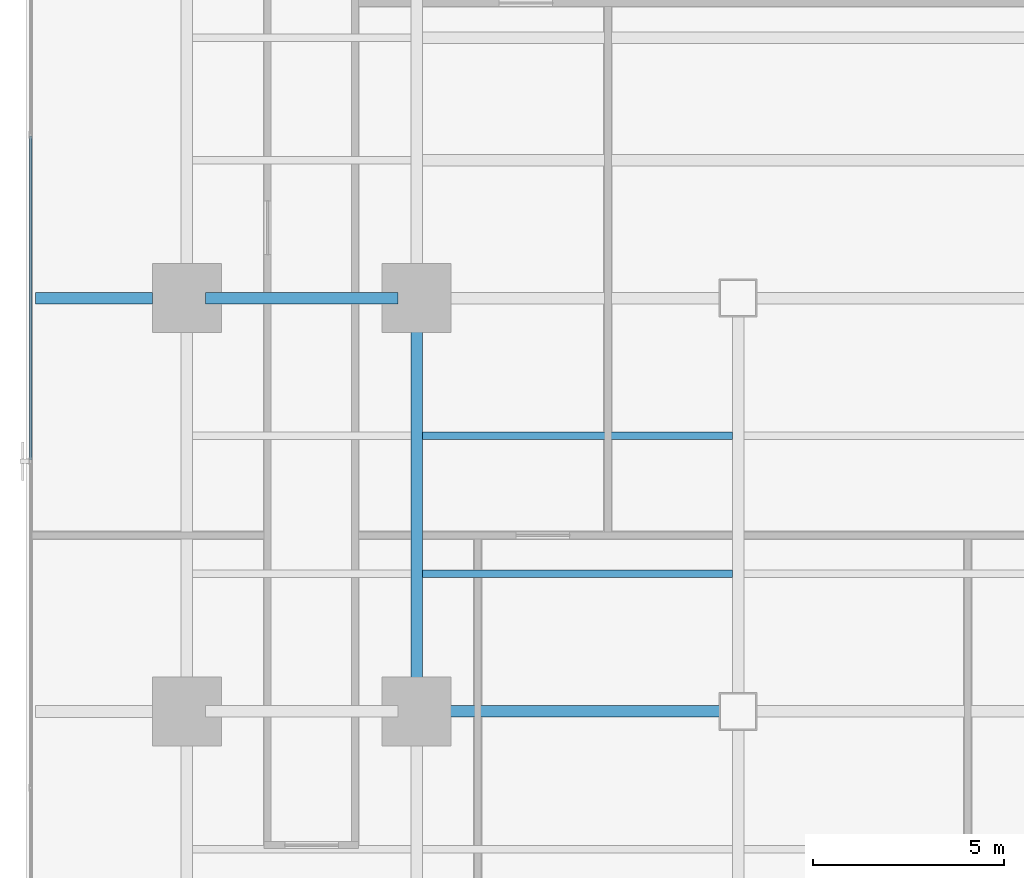
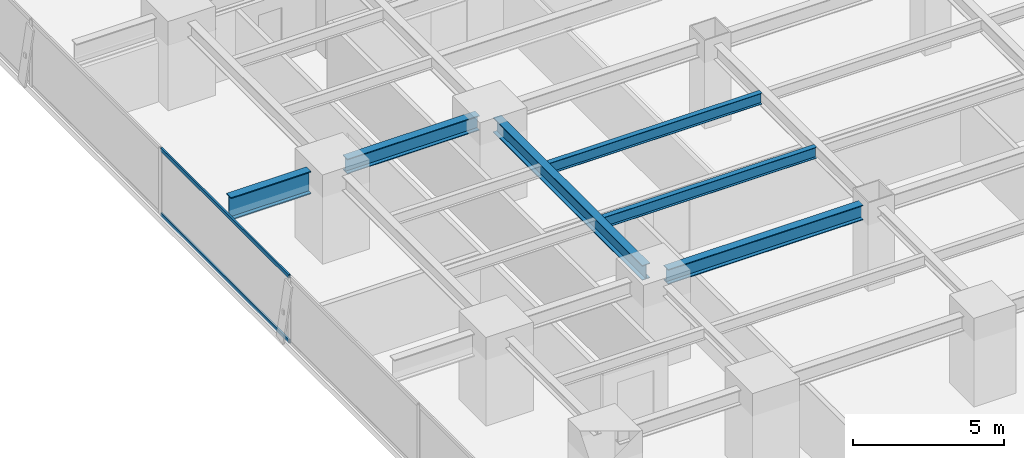
# One storey, part 8 of 33: 6 beams, 2 members, 1 element without a shape of its own.
"""IFC4 building model written with IfcOpenShell, lengths in metres."""

from ifc_helpers import new_model, si_unit, direction, frame, origin, origin_2d, place, context, subcontext, project, spatial, hollow_rectangle, i_section, extrude, source, transform, mapped, material, layer, layer_set, material_profile, profile_set, type_object, element, aggregate, save


model = new_model("IFC4")

# Units and contexts
model_context = context("Model", 3, precision=1e-05, world=origin(), true_north=direction((0.0, 1.0)))
body_context = subcontext(model_context, "Body", "Model", "MODEL_VIEW")
ifc_project = project(units=[si_unit("LENGTHUNIT", "METRE"), si_unit("AREAUNIT", "SQUARE_METRE"), si_unit("VOLUMEUNIT", "CUBIC_METRE"), si_unit("PLANEANGLEUNIT", "RADIAN"), si_unit("MASSUNIT", "GRAM", prefix="KILO")], contexts=[model_context])

# Site, building, storey
site_placement = place(None, origin())
site = spatial("IfcSite", under=ifc_project, at=site_placement, CompositionType="ELEMENT")
building_placement = place(site_placement, origin())
building = spatial("IfcBuilding", under=site, at=building_placement, Name="Sumidabori Civic Tower", CompositionType="ELEMENT")
storey_placement = place(building_placement, frame((0.0, 0.0, 66.800048828125)))
storey = spatial("IfcBuildingStorey", under=building, at=storey_placement, Name="L17", CompositionType="ELEMENT", Elevation=66.800048828125)

# Beams
ifc_material_1 = material(Name="Steel SN490", Category="steel")
ifc_material_profile_1 = material_profile(ifc_material_1, i_section(OverallWidth=0.300048828125, OverallDepth=0.60009765625, WebThickness=0.015380859375, FlangeThickness=0.030029296875, at=origin_2d()), Name="HE 600 B")
ifc_profile_set_1 = profile_set([ifc_material_profile_1], Name="Steel SN490")
beam_type_1 = type_object("IfcBeamType", Name="BM-GIRD-600", PredefinedType="BEAM", material=ifc_profile_set_1)
shared_shape_1 = source(origin(), body_context, "Body", "SweptSolid", [
    extrude(i_section(OverallWidth=0.300048828125, OverallDepth=0.60009765625, WebThickness=0.015380859375, FlangeThickness=0.030029296875, at=origin_2d()), origin(), (0.0, 0.0, 1.0), 5.0400390625),
])
beam_1_placement = place(storey_placement, frame((-22.320068359375, 0.0, 3.0), z_axis=(1.0, 0.0, 0.0), x_axis=(0.0, 1.0, 0.0)))
element("IfcBeam", 1, at=beam_1_placement, inside=storey, type_object=beam_type_1, Name="Primary Girder L17 GX-13", PredefinedType="BEAM", context=body_context, shape_type="MappedRepresentation", body=[
    mapped(shared_shape_1, transform((0.0, 0.0, 0.0), x_axis=(1.0, 0.0, 0.0), y_axis=(0.0, 1.0, 0.0), z_axis=(0.0, 0.0, 1.0), scale=1.0)),
])
shared_shape_2 = source(origin(), body_context, "Body", "SweptSolid", [
    extrude(i_section(OverallWidth=0.300048828125, OverallDepth=0.60009765625, WebThickness=0.015380859375, FlangeThickness=0.030029296875, at=origin_2d()), origin(), (0.0, 0.0, 1.0), 7.440185546875),
])
beam_2_placement = place(storey_placement, frame((-16.320068359375, -10.800048828125, 3.0), z_axis=(1.0, 0.0, 0.0), x_axis=(0.0, 1.0, 0.0)))
element("IfcBeam", 2, at=beam_2_placement, inside=storey, type_object=beam_type_1, Name="Primary Girder L17 GX-08", PredefinedType="BEAM", context=body_context, shape_type="MappedRepresentation", body=[
    mapped(shared_shape_2, transform((0.0, 0.0, 0.0), x_axis=(1.0, 0.0, 0.0), y_axis=(0.0, 1.0, 0.0), z_axis=(0.0, 0.0, 1.0), scale=1.0)),
])
shared_shape_3 = source(origin(), body_context, "Body", "SweptSolid", [
    extrude(i_section(OverallWidth=0.300048828125, OverallDepth=0.60009765625, WebThickness=0.015380859375, FlangeThickness=0.030029296875, at=origin_2d()), origin(), (0.0, 0.0, 1.0), 9.840087890625),
])
beam_3_placement = place(storey_placement, frame((-16.800048828125, -10.320068359375, 3.0), z_axis=(0.0, 1.0, 0.0), x_axis=(-1.0, 0.0, 0.0)))
element("IfcBeam", 3, at=beam_3_placement, inside=storey, type_object=beam_type_1, Name="Primary Girder L17 GY-26", PredefinedType="BEAM", context=body_context, shape_type="MappedRepresentation", body=[
    mapped(shared_shape_3, transform((0.0, 0.0, 0.0), x_axis=(1.0, 0.0, 0.0), y_axis=(0.0, 1.0, 0.0), z_axis=(0.0, 0.0, 1.0), scale=1.0)),
])
ifc_material_profile_2 = material_profile(ifc_material_1, i_section(OverallWidth=0.302001953125, OverallDepth=0.909912109375, WebThickness=0.02099609375, FlangeThickness=0.0400390625, at=origin_2d()), Name="HE 900 M")
ifc_profile_set_2 = profile_set([ifc_material_profile_2], Name="Steel SN490")
beam_type_2 = type_object("IfcBeamType", Name="BM-Z1-EDGE", PredefinedType="SPANDREL", material=ifc_profile_set_2)
shared_shape_4 = source(origin(), body_context, "Body", "SweptSolid", [
    extrude(i_section(OverallWidth=0.302001953125, OverallDepth=0.909912109375, WebThickness=0.02099609375, FlangeThickness=0.0400390625, at=origin_2d()), origin(), (0.0, 0.0, 1.0), 3.050048828125),
])
beam_4_placement = place(storey_placement, frame((-26.75, 0.0, 2.844970703125), z_axis=(1.0, 0.0, 0.0), x_axis=(0.0, 1.0, 0.0)))
element("IfcBeam", 4, at=beam_4_placement, inside=storey, type_object=beam_type_2, Name="Perimeter Overhang Beam L17 W-46", PredefinedType="SPANDREL", context=body_context, shape_type="MappedRepresentation", body=[
    mapped(shared_shape_4, transform((0.0, 0.0, 0.0), x_axis=(1.0, 0.0, 0.0), y_axis=(0.0, 1.0, 0.0), z_axis=(0.0, 0.0, 1.0), scale=1.0)),
])
ifc_material_profile_3 = material_profile(ifc_material_1, i_section(OverallWidth=0.18994140625, OverallDepth=0.449951171875, WebThickness=0.009521484375, FlangeThickness=0.0146484375, at=origin_2d()), Name="IPE 450")
ifc_profile_set_3 = profile_set([ifc_material_profile_3], Name="Steel SN490")
beam_type_3 = type_object("IfcBeamType", Name="BM-JST-450", PredefinedType="JOIST", material=ifc_profile_set_3)
shared_shape_5 = source(origin(), body_context, "Body", "SweptSolid", [
    extrude(i_section(OverallWidth=0.18994140625, OverallDepth=0.449951171875, WebThickness=0.009521484375, FlangeThickness=0.0146484375, at=origin_2d()), origin(), (0.0, 0.0, 1.0), 8.099853515625),
])
for number, where, z_axis, x_axis, name in (
    (5, (-16.64990234375, -7.199951171875, 3.074951171875), (1.0, 0.0, 0.0), (0.0, 1.0, 0.0), "South Bay Floor Joist L17 JSTS-65"),
    (6, (-16.64990234375, -3.60009765625, 3.074951171875), (1.0, 0.0, 0.0), (0.0, 1.0, 0.0), "South Bay Floor Joist L17 JSTS-69"),
):
    element("IfcBeam", number, at=place(storey_placement, frame(where, z_axis=z_axis, x_axis=x_axis)), inside=storey, type_object=beam_type_3, Name=name, PredefinedType="JOIST", context=body_context, shape_type="MappedRepresentation", body=[
        mapped(shared_shape_5, transform((0.0, 0.0, 0.0), x_axis=(1.0, 0.0, 0.0), y_axis=(0.0, 1.0, 0.0), z_axis=(0.0, 0.0, 1.0), scale=1.0)),
    ])

# Curtain wall, members
ifc_material_2 = material(Name="Anodised Bronze Aluminium AW-6063-T6", Category="aluminium")
ifc_layer = layer(ifc_material_2, 0.179931640625, Name="Anodised Bronze Aluminium AW-6063-T6")
ifc_layer_set = layer_set([ifc_layer], Name="Anodised Bronze Aluminium AW-6063-T6")
curtain_wall_type = type_object("IfcCurtainWallType", Name="CW-SYS-2", PredefinedType="NOTDEFINED", material=ifc_layer_set)
curtain_wall_placement = place(storey_placement, origin())
curtain_wall = element("IfcCurtainWall", 7, at=curtain_wall_placement, inside=storey, type_object=curtain_wall_type, Name="Curtain Wall CW:L17:R10", PredefinedType="NOTDEFINED")
ifc_material_profile_4 = material_profile(ifc_material_2, hollow_rectangle(XDim=0.06494140625, YDim=0.14990234375, WallThickness=0.0048828125, at=origin_2d()), Name="ALU TRANSOM 150x65")
ifc_profile_set_4 = profile_set([ifc_material_profile_4], Name="Anodised Bronze Aluminium AW-6063-T6")
member_type = type_object("IfcMemberType", Name="CW-TRN-150", PredefinedType="USERDEFINED", material=ifc_profile_set_4)
shared_shape_6 = source(origin(), body_context, "Body", "SweptSolid", [
    extrude(hollow_rectangle(XDim=0.06494140625, YDim=0.14990234375, WallThickness=0.0048828125, at=origin_2d()), origin(), (0.0, 0.0, 1.0), 8.4580078125),
])
member_1_placement = place(storey_placement, frame((-26.8798828125, 4.22900390625, 0.032470703125), z_axis=(0.0, -1.0, 0.0), x_axis=(1.0, 0.0, 0.0)))
member_1 = element("IfcMember", 8, at=member_1_placement, type_object=member_type, Name="CW-2 transom 3.1", ObjectType="TRANSOM", PredefinedType="USERDEFINED", context=body_context, shape_type="MappedRepresentation", body=[
    mapped(shared_shape_6, transform((0.0, 0.0, 0.0), x_axis=(1.0, 0.0, 0.0), y_axis=(0.0, 1.0, 0.0), z_axis=(0.0, 0.0, 1.0), scale=1.0)),
])
member_2_placement = place(storey_placement, frame((-26.8798828125, 4.22900390625, 2.6474609375), z_axis=(0.0, -1.0, 0.0), x_axis=(1.0, 0.0, 0.0)))
member_2 = element("IfcMember", 9, at=member_2_placement, type_object=member_type, Name="CW-2 transom 3.2", ObjectType="TRANSOM", PredefinedType="USERDEFINED", context=body_context, shape_type="MappedRepresentation", body=[
    mapped(shared_shape_6, transform((0.0, 0.0, 0.0), x_axis=(1.0, 0.0, 0.0), y_axis=(0.0, 1.0, 0.0), z_axis=(0.0, 0.0, 1.0), scale=1.0)),
])
aggregate(curtain_wall, [member_1, member_2])

save(model, "model.ifc")
